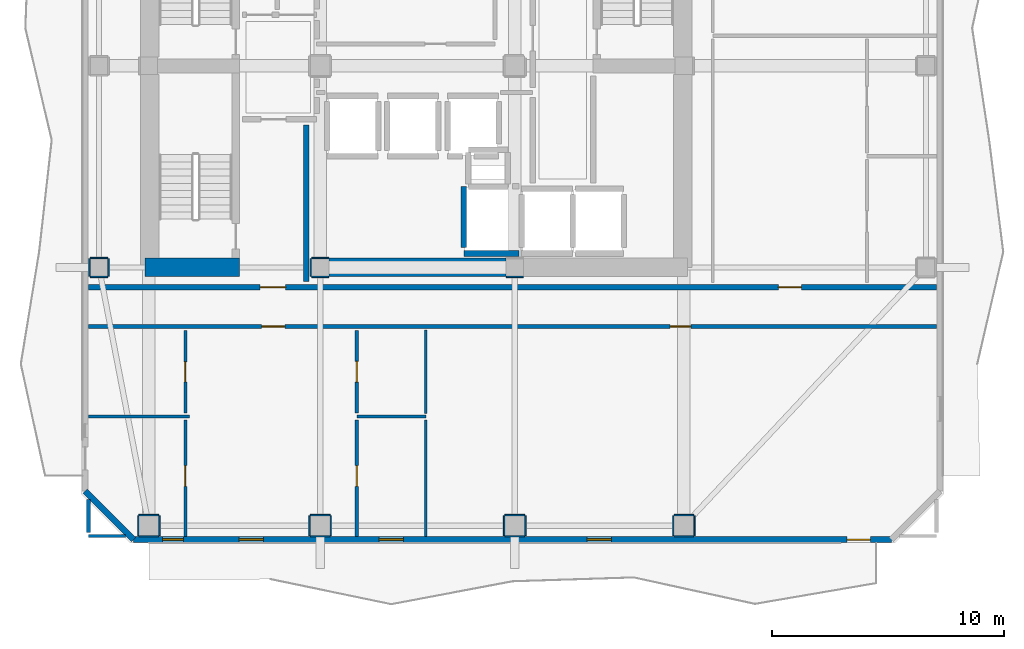
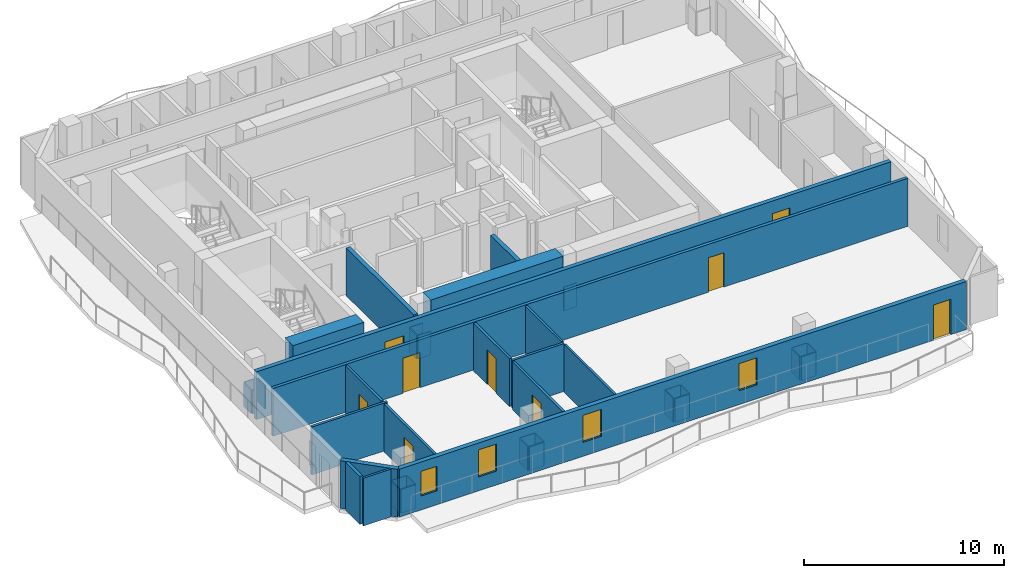
# One storey, part 2 of 9: 43 walls, 9 doors, 4 windows, 13 openings.
"""IFC4 building model written with IfcOpenShell, lengths in metres."""

from ifc_helpers import new_model, si_unit, direction, frame, frame_2d, origin, place, context, subcontext, project, spatial, rectangle, extrude, material, layer, layer_set, type_object, element, fill, save


model = new_model("IFC4")

# Units and contexts
model_context = context("Model", 3, precision=1e-05, world=origin(), true_north=direction((0.0, 1.0)))
body_context = subcontext(model_context, "Body", "Model", "MODEL_VIEW")
ifc_project = project(units=[si_unit("LENGTHUNIT", "METRE"), si_unit("AREAUNIT", "SQUARE_METRE"), si_unit("VOLUMEUNIT", "CUBIC_METRE"), si_unit("PLANEANGLEUNIT", "RADIAN"), si_unit("MASSUNIT", "GRAM", prefix="KILO")], contexts=[model_context])

# Site, building, storey
site_placement = place(None, origin())
site = spatial("IfcSite", under=ifc_project, at=site_placement, CompositionType="ELEMENT")
building_placement = place(site_placement, origin())
building = spatial("IfcBuilding", under=site, at=building_placement, Name="Solanera Arch Residences", CompositionType="ELEMENT")
storey_placement = place(building_placement, frame((0.0, 0.0, 223.360107421875)))
storey = spatial("IfcBuildingStorey", under=building, at=storey_placement, Name="L65", CompositionType="ELEMENT", Elevation=223.360107421875)

# Walls
ifc_material_1 = material(Name="Fire-Rated Gypsum Stud Partition", Category="gypsum")
ifc_layer_1 = layer(ifc_material_1, 0.06005859375)
ifc_layer_set_1 = layer_set([ifc_layer_1], Name="Fire-Rated Gypsum Stud Partition")
wall_type_1 = type_object("IfcWallType", Name="Column Acoustic Furring Wall 60", PredefinedType="PARTITIONING", material=ifc_layer_set_1)
for number, where, z_axis, x_axis, name in (
    (1, (20.425048828125, 21.593017578125, 0.0), (0.0, 0.0, 1.0), (1.0, 0.0, 0.0), "L65 Column Furring 1S"),
    (2, (20.425048828125, 22.406982421875, 0.0), (0.0, 0.0, 1.0), (1.0, 0.0, 0.0), "L65 Column Furring 1N"),
):
    element("IfcWall", number, at=place(storey_placement, frame(where, z_axis=z_axis, x_axis=x_axis)), inside=storey, type_object=wall_type_1, Name=name, PredefinedType="PARTITIONING", context=body_context, shape_type="SweptSolid", body=[
        extrude(rectangle(XDim=0.741943359375, YDim=0.06005859375, at=frame_2d((0.37109375, 0.0))), origin(), (0.0, 0.0, 1.0), 1.449951171875),
    ])
wall_1_placement = place(storey_placement, frame((20.39306640625, 21.625, 0.0), z_axis=(0.0, 0.0, 1.0), x_axis=(0.0, 1.0, 0.0)))
element("IfcWall", 3, at=wall_1_placement, inside=storey, type_object=wall_type_1, Name="L65 Column Furring 1W", PredefinedType="PARTITIONING", context=body_context, shape_type="SweptSolid", body=[
    extrude(rectangle(XDim=0.75, YDim=0.06005859375, at=frame_2d((0.375, 0.0))), origin(), (0.0, 0.0, 1.0), 1.449951171875),
])
wall_2_placement = place(storey_placement, frame((28.8330078125, 21.593017578125, 0.0), z_axis=(0.0, 0.0, 1.0), x_axis=(1.0, 0.0, 0.0)))
element("IfcWall", 4, at=wall_2_placement, inside=storey, type_object=wall_type_1, Name="L65 Column Furring 2S", PredefinedType="PARTITIONING", context=body_context, shape_type="SweptSolid", body=[
    extrude(rectangle(XDim=0.73388671875, YDim=0.06005859375, at=frame_2d((0.366943359375, 0.0))), origin(), (0.0, 0.0, 1.0), 1.449951171875),
])
for number, where, z_axis, x_axis, name in (
    (5, (12.97509765625, 10.39306640625, 0.0), (0.0, 0.0, 1.0), (1.0, 0.0, 0.0), "L65 Column Furring 9S"),
    (6, (12.97509765625, 11.306884765625, 0.0), (0.0, 0.0, 1.0), (1.0, 0.0, 0.0), "L65 Column Furring 9N"),
    (7, (12.943115234375, 10.425048828125, 0.0), (0.0, 0.0, 1.0), (0.0, 1.0, 0.0), "L65 Column Furring 9W"),
    (8, (13.85693359375, 10.425048828125, 0.0), (0.0, 0.0, 1.0), (0.0, 1.0, 0.0), "L65 Column Furring 9E"),
):
    element("IfcWall", number, at=place(storey_placement, frame(where, z_axis=z_axis, x_axis=x_axis)), inside=storey, type_object=wall_type_1, Name=name, PredefinedType="PARTITIONING", context=body_context, shape_type="SweptSolid", body=[
        extrude(rectangle(XDim=0.849853515625, YDim=0.06005859375, at=frame_2d((0.4248046875, 0.0))), origin(), (0.0, 0.0, 1.0), 1.449951171875),
    ])
for number, where, z_axis, x_axis, name in (
    (9, (20.375, 10.39306640625, 0.0), (0.0, 0.0, 1.0), (1.0, 0.0, 0.0), "L65 Column Furring 11S"),
    (10, (20.375, 11.306884765625, 0.0), (0.0, 0.0, 1.0), (1.0, 0.0, 0.0), "L65 Column Furring 11N"),
):
    element("IfcWall", number, at=place(storey_placement, frame(where, z_axis=z_axis, x_axis=x_axis)), inside=storey, type_object=wall_type_1, Name=name, PredefinedType="PARTITIONING", context=body_context, shape_type="SweptSolid", body=[
        extrude(rectangle(XDim=0.85009765625, YDim=0.06005859375, at=frame_2d((0.425048828125, 0.0))), origin(), (0.0, 0.0, 1.0), 1.449951171875),
    ])
for number, where, z_axis, x_axis, name in (
    (11, (20.343017578125, 10.425048828125, 0.0), (0.0, 0.0, 1.0), (0.0, 1.0, 0.0), "L65 Column Furring 11W"),
    (12, (21.257080078125, 10.425048828125, 0.0), (0.0, 0.0, 1.0), (0.0, 1.0, 0.0), "L65 Column Furring 11E"),
):
    element("IfcWall", number, at=place(storey_placement, frame(where, z_axis=z_axis, x_axis=x_axis)), inside=storey, type_object=wall_type_1, Name=name, PredefinedType="PARTITIONING", context=body_context, shape_type="SweptSolid", body=[
        extrude(rectangle(XDim=0.849853515625, YDim=0.06005859375, at=frame_2d((0.4248046875, 0.0))), origin(), (0.0, 0.0, 1.0), 1.449951171875),
    ])
for number, where, z_axis, x_axis, name in (
    (13, (28.77490234375, 10.39306640625, 0.0), (0.0, 0.0, 1.0), (1.0, 0.0, 0.0), "L65 Column Furring 13S"),
    (14, (28.77490234375, 11.306884765625, 0.0), (0.0, 0.0, 1.0), (1.0, 0.0, 0.0), "L65 Column Furring 13N"),
):
    element("IfcWall", number, at=place(storey_placement, frame(where, z_axis=z_axis, x_axis=x_axis)), inside=storey, type_object=wall_type_1, Name=name, PredefinedType="PARTITIONING", context=body_context, shape_type="SweptSolid", body=[
        extrude(rectangle(XDim=0.85009765625, YDim=0.06005859375, at=frame_2d((0.425048828125, 0.0))), origin(), (0.0, 0.0, 1.0), 1.449951171875),
    ])
for number, where, z_axis, x_axis, name in (
    (15, (28.742919921875, 10.425048828125, 0.0), (0.0, 0.0, 1.0), (0.0, 1.0, 0.0), "L65 Column Furring 13W"),
    (16, (29.656982421875, 10.425048828125, 0.0), (0.0, 0.0, 1.0), (0.0, 1.0, 0.0), "L65 Column Furring 13E"),
):
    element("IfcWall", number, at=place(storey_placement, frame(where, z_axis=z_axis, x_axis=x_axis)), inside=storey, type_object=wall_type_1, Name=name, PredefinedType="PARTITIONING", context=body_context, shape_type="SweptSolid", body=[
        extrude(rectangle(XDim=0.849853515625, YDim=0.06005859375, at=frame_2d((0.4248046875, 0.0))), origin(), (0.0, 0.0, 1.0), 1.449951171875),
    ])
for number, where, z_axis, x_axis, name in (
    (17, (36.074951171875, 10.39306640625, 0.0), (0.0, 0.0, 1.0), (1.0, 0.0, 0.0), "L65 Column Furring 15S"),
    (18, (36.074951171875, 11.306884765625, 0.0), (0.0, 0.0, 1.0), (1.0, 0.0, 0.0), "L65 Column Furring 15N"),
):
    element("IfcWall", number, at=place(storey_placement, frame(where, z_axis=z_axis, x_axis=x_axis)), inside=storey, type_object=wall_type_1, Name=name, PredefinedType="PARTITIONING", context=body_context, shape_type="SweptSolid", body=[
        extrude(rectangle(XDim=0.85009765625, YDim=0.06005859375, at=frame_2d((0.425048828125, 0.0))), origin(), (0.0, 0.0, 1.0), 1.449951171875),
    ])
for number, where, z_axis, x_axis, name in (
    (19, (36.04296875, 10.425048828125, 0.0), (0.0, 0.0, 1.0), (0.0, 1.0, 0.0), "L65 Column Furring 15W"),
    (20, (36.95703125, 10.425048828125, 0.0), (0.0, 0.0, 1.0), (0.0, 1.0, 0.0), "L65 Column Furring 15E"),
):
    element("IfcWall", number, at=place(storey_placement, frame(where, z_axis=z_axis, x_axis=x_axis)), inside=storey, type_object=wall_type_1, Name=name, PredefinedType="PARTITIONING", context=body_context, shape_type="SweptSolid", body=[
        extrude(rectangle(XDim=0.849853515625, YDim=0.06005859375, at=frame_2d((0.4248046875, 0.0))), origin(), (0.0, 0.0, 1.0), 1.449951171875),
    ])
for number, where, z_axis, x_axis, name in (
    (21, (10.875, 21.593017578125, 0.0), (0.0, 0.0, 1.0), (1.0, 0.0, 0.0), "L65 Column Furring 17S"),
    (22, (10.875, 22.406982421875, 0.0), (0.0, 0.0, 1.0), (1.0, 0.0, 0.0), "L65 Column Furring 17N"),
    (23, (10.843017578125, 21.625, 0.0), (0.0, 0.0, 1.0), (0.0, 1.0, 0.0), "L65 Column Furring 17W"),
    (24, (11.656982421875, 21.625, 0.0), (0.0, 0.0, 1.0), (0.0, 1.0, 0.0), "L65 Column Furring 17E"),
):
    element("IfcWall", number, at=place(storey_placement, frame(where, z_axis=z_axis, x_axis=x_axis)), inside=storey, type_object=wall_type_1, Name=name, PredefinedType="PARTITIONING", context=body_context, shape_type="SweptSolid", body=[
        extrude(rectangle(XDim=0.75, YDim=0.06005859375, at=frame_2d((0.375, 0.0))), origin(), (0.0, 0.0, 1.0), 1.449951171875),
    ])
ifc_material_2 = material(Name="Concrete C40/50 (f'c = 45 MPa)", Category="concrete")
ifc_layer_2 = layer(ifc_material_2, 0.800048828125)
ifc_layer_set_2 = layer_set([ifc_layer_2], Name="Concrete C40/50 (f'c = 45 MPa)")
wall_type_2 = type_object("IfcWallType", Name="Core Shear Wall CW-800", PredefinedType="SHEAR", material=ifc_layer_set_2)
wall_3_placement = place(storey_placement, frame((13.239990234375, 22.0, 0.0), z_axis=(0.0, 0.0, 1.0), x_axis=(1.0, 0.0, 0.0)))
element("IfcWall", 25, at=wall_3_placement, inside=storey, type_object=wall_type_2, Name="L65 South-West Core Shear Wall", PredefinedType="SHEAR", context=body_context, shape_type="SweptSolid", body=[
    extrude(rectangle(XDim=4.080078125, YDim=0.800048828125, at=frame_2d((2.0400390625, 0.0))), origin(), (0.0, 0.0, 1.0), 3.31982421875),
])
wall_4_placement = place(storey_placement, frame((21.179931640625, 22.0, 0.0), z_axis=(0.0, 0.0, 1.0), x_axis=(1.0, 0.0, 0.0)))
element("IfcWall", 26, at=wall_4_placement, inside=storey, type_object=wall_type_2, Name="L65 Central South Core Shear Wall", PredefinedType="SHEAR", context=body_context, shape_type="SweptSolid", body=[
    extrude(rectangle(XDim=7.64013671875, YDim=0.800048828125, at=frame_2d((3.820068359375, 0.0))), origin(), (0.0, 0.0, 1.0), 3.31982421875),
])

# Wall, openings, doors
ifc_material_3 = material(Name="Autoclaved Aerated Concrete Blockwork", Category="masonry")
ifc_layer_3 = layer(ifc_material_3, 0.179931640625)
ifc_layer_set_3 = layer_set([ifc_layer_3], Name="Autoclaved Aerated Concrete Blockwork")
wall_type_3 = type_object("IfcWallType", Name="Corridor Fire Partition 180", PredefinedType="PARTITIONING", material=ifc_layer_set_3)
wall_5_placement = place(storey_placement, frame((10.787109375, 19.449951171875, 0.0), z_axis=(0.0, 0.0, 1.0), x_axis=(1.0, 0.0, 0.0)))
wall_5 = element("IfcWall", 27, at=wall_5_placement, inside=storey, type_object=wall_type_3, Name="L65 Interior Partition H7", PredefinedType="PARTITIONING", context=body_context, shape_type="SweptSolid", body=[
    extrude(rectangle(XDim=36.6259765625, YDim=0.179931640625, at=frame_2d((18.31298828125, 0.0))), origin(), (0.0, 0.0, 1.0), 2.919921875),
])
opening_1_placement = place(wall_5_placement, frame((7.487060546875, 0.0, 0.0)))
opening_1 = element("IfcOpeningElement", 28, at=opening_1_placement, cuts=wall_5, Name="Opening DI-01", PredefinedType="OPENING", context=body_context, shape_type="SweptSolid", body=[
    extrude(rectangle(XDim=1.0, YDim=2.14990234375, at=frame_2d((0.5, 1.074951171875))), frame((0.0, 0.10009765625, 0.0), z_axis=(0.0, -1.0, 0.0), x_axis=(1.0, 0.0, 0.0)), (0.0, 0.0, 1.0), 0.1999),
])
opening_2_placement = place(wall_5_placement, frame((25.117919921875, 0.0, 0.0)))
opening_2 = element("IfcOpeningElement", 29, at=opening_2_placement, cuts=wall_5, Name="Opening DI-02", PredefinedType="OPENING", context=body_context, shape_type="SweptSolid", body=[
    extrude(rectangle(XDim=0.89990234375, YDim=2.10009765625, at=frame_2d((0.449951171875, 1.050048828125))), frame((0.0, 0.10009765625, 0.0), z_axis=(0.0, -1.0, 0.0), x_axis=(1.0, 0.0, 0.0)), (0.0, 0.0, 1.0), 0.1999),
])
ifc_material_4 = material(Name="Fire-Rated Architectural Hardwood", Category="wood")
door_type_1 = type_object("IfcDoorType", Name="Suite Room Swing Door DI-02", OperationType="NOTDEFINED", PredefinedType="DOOR", material=ifc_material_4)
door_1_placement = place(opening_2_placement, origin())
door_1 = element("IfcDoor", 30, at=door_1_placement, inside=storey, type_object=door_type_1, Name="DR-L65-IN-019", OperationType="SINGLE_SWING_RIGHT", OverallHeight=2.10009765625, OverallWidth=0.89990234375, PredefinedType="DOOR", context=body_context, shape_type="SweptSolid", body=[
    extrude(rectangle(XDim=0.89990234375, YDim=2.10009765625, at=frame_2d((0.449951171875, 1.050048828125))), frame((0.0, 0.02490234375, 0.0), z_axis=(0.0, -1.0, 0.0), x_axis=(1.0, 0.0, 0.0)), (0.0, 0.0, 1.0), 0.050048828125),
])
fill(opening_2, door_1)
ifc_material_5 = material(Name="Fire-Rated Architectural Hardwood", Category="wood")
door_type_2 = type_object("IfcDoorType", Name="Unit Entrance Fire Door DI-01", OperationType="NOTDEFINED", PredefinedType="DOOR", material=ifc_material_5)
door_2_placement = place(opening_1_placement, origin())
door_2 = element("IfcDoor", 31, at=door_2_placement, inside=storey, type_object=door_type_2, Name="DR-L65-IN-014", OperationType="SINGLE_SWING_LEFT", OverallHeight=2.14990234375, OverallWidth=1.0, PredefinedType="DOOR", context=body_context, shape_type="SweptSolid", body=[
    extrude(rectangle(XDim=1.0, YDim=2.14990234375, at=frame_2d((0.5, 1.074951171875))), frame((0.0, 0.02490234375, 0.0), z_axis=(0.0, -1.0, 0.0), x_axis=(1.0, 0.0, 0.0)), (0.0, 0.0, 1.0), 0.050048828125),
])
fill(opening_1, door_2)

# Wall
wall_6_placement = place(storey_placement, frame((10.800048828125, 10.55810546875, 0.0), z_axis=(0.0, 0.0, 1.0), x_axis=(0.0, 1.0, 0.0)))
element("IfcWall", 32, at=wall_6_placement, inside=storey, type_object=wall_type_3, Name="L65 Interior Partition V9", PredefinedType="PARTITIONING", context=body_context, shape_type="SweptSolid", body=[
    extrude(rectangle(XDim=1.430908203125, YDim=0.179931640625, at=frame_2d((0.71533203125, 0.0))), origin(), (0.0, 0.0, 1.0), 2.919921875),
])

# Wall, openings, door, windows
ifc_material_6 = material(Name="Precast Concrete C35/45", Category="concrete")
ifc_layer_4 = layer(ifc_material_6, 0.260009765625)
ifc_layer_set_4 = layer_set([ifc_layer_4], Name="Precast Concrete C35/45")
wall_type_4 = type_object("IfcWallType", Name="Exterior Wall Precast Masonry-Frame 260", PredefinedType="STANDARD", material=ifc_layer_set_4)
wall_7_placement = place(storey_placement, frame((45.455078125, 10.2451171875, 0.0), z_axis=(0.0, 0.0, 1.0), x_axis=(-1.0, 0.0, 0.0)))
wall_7 = element("IfcWall", 33, at=wall_7_placement, inside=storey, type_object=wall_type_4, Name="L65 Tower Exterior Precast Masonry-Frame Wall S", PredefinedType="STANDARD", context=body_context, shape_type="SweptSolid", body=[
    extrude(rectangle(XDim=32.7099609375, YDim=0.260009765625, at=frame_2d((16.35498046875, 0.0))), origin(), (0.0, 0.0, 1.0), 2.919921875),
])
opening_3_placement = place(wall_7_placement, frame((0.906982421875, 0.0, 0.0)))
opening_3 = element("IfcOpeningElement", 34, at=opening_3_placement, cuts=wall_7, Name="Opening DB-01", PredefinedType="OPENING", context=body_context, shape_type="SweptSolid", body=[
    extrude(rectangle(XDim=1.0, YDim=2.14990234375, at=frame_2d((0.5, 1.074951171875))), frame((0.0, 0.139892578125, 0.0), z_axis=(0.0, -1.0, 0.0), x_axis=(1.0, 0.0, 0.0)), (0.0, 0.0, 1.0), 0.28),
])
opening_4_placement = place(wall_7_placement, frame((27.10791015625, 0.0, 0.85009765625)))
opening_4 = element("IfcOpeningElement", 35, at=opening_4_placement, cuts=wall_7, Name="Opening W-07", PredefinedType="OPENING", context=body_context, shape_type="SweptSolid", body=[
    extrude(rectangle(XDim=1.050048828125, YDim=1.64990234375, at=frame_2d((0.52490234375, 0.824951171875))), frame((0.0, 0.139892578125, 0.0), z_axis=(0.0, -1.0, 0.0), x_axis=(1.0, 0.0, 0.0)), (0.0, 0.0, 1.0), 0.28),
])
opening_5_placement = place(wall_7_placement, frame((30.55810546875, 0.0, 0.85009765625)))
opening_5 = element("IfcOpeningElement", 36, at=opening_5_placement, cuts=wall_7, Name="Opening W-06", PredefinedType="OPENING", context=body_context, shape_type="SweptSolid", body=[
    extrude(rectangle(XDim=0.89990234375, YDim=1.5, at=frame_2d((0.449951171875, 0.75))), frame((0.0, 0.139892578125, 0.0), z_axis=(0.0, -1.0, 0.0), x_axis=(1.0, 0.0, 0.0)), (0.0, 0.0, 1.0), 0.28),
])
opening_6_placement = place(wall_7_placement, frame((21.06005859375, 0.0, 0.85009765625)))
opening_6 = element("IfcOpeningElement", 37, at=opening_6_placement, cuts=wall_7, Name="Opening W-07", PredefinedType="OPENING", context=body_context, shape_type="SweptSolid", body=[
    extrude(rectangle(XDim=1.050048828125, YDim=1.64990234375, at=frame_2d((0.52490234375, 0.824951171875))), frame((0.0, 0.139892578125, 0.0), z_axis=(0.0, -1.0, 0.0), x_axis=(1.0, 0.0, 0.0)), (0.0, 0.0, 1.0), 0.28),
])
opening_7_placement = place(wall_7_placement, frame((12.080078125, 0.0, 0.85009765625)))
opening_7 = element("IfcOpeningElement", 38, at=opening_7_placement, cuts=wall_7, Name="Opening W-07", PredefinedType="OPENING", context=body_context, shape_type="SweptSolid", body=[
    extrude(rectangle(XDim=1.050048828125, YDim=1.64990234375, at=frame_2d((0.52490234375, 0.824951171875))), frame((0.0, 0.139892578125, 0.0), z_axis=(0.0, -1.0, 0.0), x_axis=(1.0, 0.0, 0.0)), (0.0, 0.0, 1.0), 0.28),
])
ifc_material_7 = material(Name="Anodised Aluminium Alloy 6063-T6", Category="aluminium")
door_type_3 = type_object("IfcDoorType", Name="Glazed Balcony Swing Door DB-01", OperationType="NOTDEFINED", PredefinedType="DOOR", material=ifc_material_7)
door_3_placement = place(opening_3_placement, origin())
door_3 = element("IfcDoor", 39, at=door_3_placement, inside=storey, type_object=door_type_3, Name="DR-L65-OUT-01", OperationType="SINGLE_SWING_LEFT", OverallHeight=2.14990234375, OverallWidth=1.0, PredefinedType="DOOR", context=body_context, shape_type="SweptSolid", body=[
    extrude(rectangle(XDim=1.0, YDim=2.14990234375, at=frame_2d((0.5, 1.074951171875))), frame((0.0, 0.02490234375, 0.0), z_axis=(0.0, -1.0, 0.0), x_axis=(1.0, 0.0, 0.0)), (0.0, 0.0, 1.0), 0.050048828125),
])
fill(opening_3, door_3)
ifc_material_8 = material(Name="Double Glazed Low-E Laminated Glass", Category="glass")
window_type_1 = type_object("IfcWindowType", Name="Punched Window W-06", PartitioningType="SINGLE_PANEL", PredefinedType="WINDOW", material=ifc_material_8)
window_1_placement = place(opening_5_placement, origin())
window_1 = element("IfcWindow", 40, at=window_1_placement, inside=storey, type_object=window_type_1, Name="L65 6501-BR1 Punched Window", OverallHeight=1.5, OverallWidth=0.89990234375, PartitioningType="SINGLE_PANEL", PredefinedType="WINDOW", context=body_context, shape_type="SweptSolid", body=[
    extrude(rectangle(XDim=0.89990234375, YDim=1.5, at=frame_2d((0.449951171875, 0.75))), frame((0.0, 0.030029296875, 0.0), z_axis=(0.0, -1.0, 0.0), x_axis=(1.0, 0.0, 0.0)), (0.0, 0.0, 1.0), 0.06005859375),
])
fill(opening_5, window_1)
ifc_material_9 = material(Name="Double Glazed Low-E Laminated Glass", Category="glass")
window_type_2 = type_object("IfcWindowType", Name="Punched Window W-07", PartitioningType="SINGLE_PANEL", PredefinedType="WINDOW", material=ifc_material_9)
window_2_placement = place(opening_4_placement, origin())
window_2 = element("IfcWindow", 41, at=window_2_placement, inside=storey, type_object=window_type_2, Name="L65 6501-LIV Punched Window", OverallHeight=1.64990234375, OverallWidth=1.050048828125, PartitioningType="SINGLE_PANEL", PredefinedType="WINDOW", context=body_context, shape_type="SweptSolid", body=[
    extrude(rectangle(XDim=1.050048828125, YDim=1.64990234375, at=frame_2d((0.52490234375, 0.824951171875))), frame((0.0, 0.030029296875, 0.0), z_axis=(0.0, -1.0, 0.0), x_axis=(1.0, 0.0, 0.0)), (0.0, 0.0, 1.0), 0.06005859375),
])
fill(opening_4, window_2)
window_3_placement = place(opening_6_placement, origin())
window_3 = element("IfcWindow", 42, at=window_3_placement, inside=storey, type_object=window_type_2, Name="L65 6501-BR2 Punched Window", OverallHeight=1.64990234375, OverallWidth=1.050048828125, PartitioningType="SINGLE_PANEL", PredefinedType="WINDOW", context=body_context, shape_type="SweptSolid", body=[
    extrude(rectangle(XDim=1.050048828125, YDim=1.64990234375, at=frame_2d((0.52490234375, 0.824951171875))), frame((0.0, 0.030029296875, 0.0), z_axis=(0.0, -1.0, 0.0), x_axis=(1.0, 0.0, 0.0)), (0.0, 0.0, 1.0), 0.06005859375),
])
fill(opening_6, window_3)
window_4_placement = place(opening_7_placement, origin())
window_4 = element("IfcWindow", 43, at=window_4_placement, inside=storey, type_object=window_type_2, Name="L65 AMN-LNG Punched Window", OverallHeight=1.64990234375, OverallWidth=1.050048828125, PartitioningType="SINGLE_PANEL", PredefinedType="WINDOW", context=body_context, shape_type="SweptSolid", body=[
    extrude(rectangle(XDim=1.050048828125, YDim=1.64990234375, at=frame_2d((0.52490234375, 0.824951171875))), frame((0.0, 0.030029296875, 0.0), z_axis=(0.0, -1.0, 0.0), x_axis=(1.0, 0.0, 0.0)), (0.0, 0.0, 1.0), 0.06005859375),
])
fill(opening_7, window_4)

# Walls
wall_8_placement = place(storey_placement, frame((12.7451171875, 10.2451171875, 0.0), z_axis=(0.0, 0.0, 1.0), x_axis=(-0.707147883682, 0.707065676302, 0.0)))
element("IfcWall", 44, at=wall_8_placement, inside=storey, type_object=wall_type_4, Name="L65 Tower Exterior Precast Masonry-Frame Wall CH7", PredefinedType="STANDARD", context=body_context, shape_type="SweptSolid", body=[
    extrude(rectangle(XDim=2.9697265625, YDim=0.260009765625, at=frame_2d((1.48486328125, 0.0))), origin(), (0.0, 0.0, 1.0), 2.919921875),
])
ifc_material_10 = material(Name="Autoclaved Aerated Concrete Blockwork", Category="masonry")
ifc_layer_5 = layer(ifc_material_10, 0.239990234375)
ifc_layer_set_5 = layer_set([ifc_layer_5], Name="Autoclaved Aerated Concrete Blockwork")
wall_type_5 = type_object("IfcWallType", Name="Shaft Wall Fire-Rated 240", PredefinedType="PARTITIONING", material=ifc_layer_set_5)
wall_9_placement = place(storey_placement, frame((27.0, 22.60009765625, 0.0), z_axis=(0.0, 0.0, 1.0), x_axis=(1.0, 0.0, 0.0)))
element("IfcWall", 45, at=wall_9_placement, inside=storey, type_object=wall_type_5, Name="L65 Lift SVL-1 Hoistway Wall S", PredefinedType="PARTITIONING", context=body_context, shape_type="SweptSolid", body=[
    extrude(rectangle(XDim=2.3720703125, YDim=0.239990234375, at=frame_2d((1.18603515625, 0.0))), origin(), (0.0, 0.0, 1.0), 2.919921875),
])
wall_10_placement = place(storey_placement, frame((27.0, 22.847900390625, 0.0), z_axis=(0.0, 0.0, 1.0), x_axis=(0.0, 1.0, 0.0)))
element("IfcWall", 46, at=wall_10_placement, inside=storey, type_object=wall_type_5, Name="L65 Lift SVL-1 Hoistway Wall W", PredefinedType="PARTITIONING", context=body_context, shape_type="SweptSolid", body=[
    extrude(rectangle(XDim=2.650146484375, YDim=0.239990234375, at=frame_2d((1.3251953125, 0.0))), origin(), (0.0, 0.0, 1.0), 2.919921875),
])

# Wall, openings, doors
wall_11_placement = place(storey_placement, frame((10.787109375, 21.14990234375, 0.0), z_axis=(0.0, 0.0, 1.0), x_axis=(1.0, 0.0, 0.0)))
wall_11 = element("IfcWall", 47, at=wall_11_placement, inside=storey, type_object=wall_type_5, Name="L65 Interior Partition H1", PredefinedType="PARTITIONING", context=body_context, shape_type="SweptSolid", body=[
    extrude(rectangle(XDim=36.6259765625, YDim=0.239990234375, at=frame_2d((18.31298828125, 0.0))), origin(), (0.0, 0.0, 1.0), 2.919921875),
])
opening_8_placement = place(wall_11_placement, frame((7.423095703125, 0.0, 0.0)))
opening_8 = element("IfcOpeningElement", 48, at=opening_8_placement, cuts=wall_11, Name="Opening DF-02", PredefinedType="OPENING", context=body_context, shape_type="SweptSolid", body=[
    extrude(rectangle(XDim=1.10009765625, YDim=2.14990234375, at=frame_2d((0.550048828125, 1.074951171875))), frame((0.0, 0.1298828125, 0.0), z_axis=(0.0, -1.0, 0.0), x_axis=(1.0, 0.0, 0.0)), (0.0, 0.0, 1.0), 0.26),
])
opening_9_placement = place(wall_11_placement, frame((29.7880859375, 0.0, 0.0)))
opening_9 = element("IfcOpeningElement", 49, at=opening_9_placement, cuts=wall_11, Name="Opening DI-01", PredefinedType="OPENING", context=body_context, shape_type="SweptSolid", body=[
    extrude(rectangle(XDim=1.0, YDim=2.14990234375, at=frame_2d((0.5, 1.074951171875))), frame((0.0, 0.1298828125, 0.0), z_axis=(0.0, -1.0, 0.0), x_axis=(1.0, 0.0, 0.0)), (0.0, 0.0, 1.0), 0.26),
])
ifc_material_11 = material(Name="Fire-Rated Architectural Hardwood", Category="wood")
door_type_4 = type_object("IfcDoorType", Name="Firefighting Lobby Fire Door DF-02", OperationType="NOTDEFINED", PredefinedType="DOOR", material=ifc_material_11)
door_4_placement = place(opening_8_placement, origin())
door_4 = element("IfcDoor", 50, at=door_4_placement, inside=storey, type_object=door_type_4, Name="DR-L65-IN-008", OperationType="SINGLE_SWING_LEFT", OverallHeight=2.14990234375, OverallWidth=1.10009765625, PredefinedType="DOOR", context=body_context, shape_type="SweptSolid", body=[
    extrude(rectangle(XDim=1.10009765625, YDim=2.14990234375, at=frame_2d((0.550048828125, 1.074951171875))), frame((0.0, 0.02490234375, 0.0), z_axis=(0.0, -1.0, 0.0), x_axis=(1.0, 0.0, 0.0)), (0.0, 0.0, 1.0), 0.050048828125),
])
fill(opening_8, door_4)
door_5_placement = place(opening_9_placement, origin())
door_5 = element("IfcDoor", 51, at=door_5_placement, inside=storey, type_object=door_type_2, Name="DR-L65-IN-032", OperationType="SINGLE_SWING_LEFT", OverallHeight=2.14990234375, OverallWidth=1.0, PredefinedType="DOOR", context=body_context, shape_type="SweptSolid", body=[
    extrude(rectangle(XDim=1.0, YDim=2.14990234375, at=frame_2d((0.5, 1.074951171875))), frame((0.0, 0.02490234375, 0.0), z_axis=(0.0, -1.0, 0.0), x_axis=(1.0, 0.0, 0.0)), (0.0, 0.0, 1.0), 0.050048828125),
])
fill(opening_9, door_5)

# Walls
wall_12_placement = place(storey_placement, frame((20.199951171875, 21.39794921875, 0.0), z_axis=(0.0, 0.0, 1.0), x_axis=(0.0, 1.0, 0.0)))
element("IfcWall", 52, at=wall_12_placement, inside=storey, type_object=wall_type_5, Name="L65 Interior Partition V3", PredefinedType="PARTITIONING", context=body_context, shape_type="SweptSolid", body=[
    extrude(rectangle(XDim=6.754150390625, YDim=0.239990234375, at=frame_2d((3.376953125, 0.0))), origin(), (0.0, 0.0, 1.0), 2.919921875),
])
ifc_material_12 = material(Name="Fire-Rated Gypsum Stud Partition", Category="gypsum")
ifc_layer_6 = layer(ifc_material_12, 0.1201171875)
ifc_layer_set_6 = layer_set([ifc_layer_6], Name="Fire-Rated Gypsum Stud Partition")
wall_type_6 = type_object("IfcWallType", Name="Unit Drywall Partition 120", PredefinedType="PARTITIONING", material=ifc_layer_set_6)
wall_13_placement = place(storey_placement, frame((10.800048828125, 10.39990234375, 0.0), z_axis=(0.0, 0.0, 1.0), x_axis=(1.0, 0.0, 0.0)))
element("IfcWall", 53, at=wall_13_placement, inside=storey, type_object=wall_type_6, Name="L65 Interior Partition H18 1", PredefinedType="PARTITIONING", context=body_context, shape_type="SweptSolid", body=[
    extrude(rectangle(XDim=1.5888671875, YDim=0.1201171875, at=frame_2d((0.79443359375, 0.0))), origin(), (0.0, 0.0, 1.0), 2.919921875),
])
wall_14_placement = place(storey_placement, frame((25.35888671875, 10.386962890625, 0.0), z_axis=(0.0, 0.0, 1.0), x_axis=(0.0, 1.0, 0.0)))
element("IfcWall", 54, at=wall_14_placement, inside=storey, type_object=wall_type_6, Name="L65 Interior Partition V22 1", PredefinedType="PARTITIONING", context=body_context, shape_type="SweptSolid", body=[
    extrude(rectangle(XDim=5.033935546875, YDim=0.1201171875, at=frame_2d((2.51708984375, 0.0))), origin(), (0.0, 0.0, 1.0), 2.919921875),
])
wall_15_placement = place(storey_placement, frame((25.35888671875, 15.697021484375, 0.0), z_axis=(0.0, 0.0, 1.0), x_axis=(0.0, 1.0, 0.0)))
element("IfcWall", 55, at=wall_15_placement, inside=storey, type_object=wall_type_6, Name="L65 Interior Partition V22 2", PredefinedType="PARTITIONING", context=body_context, shape_type="SweptSolid", body=[
    extrude(rectangle(XDim=3.594970703125, YDim=0.1201171875, at=frame_2d((1.79736328125, 0.0))), origin(), (0.0, 0.0, 1.0), 2.919921875),
])
ifc_material_13 = material(Name="Autoclaved Aerated Concrete Blockwork", Category="masonry")
ifc_layer_7 = layer(ifc_material_13, 0.139892578125)
ifc_layer_set_7 = layer_set([ifc_layer_7], Name="Autoclaved Aerated Concrete Blockwork")
wall_type_7 = type_object("IfcWallType", Name="Wet-Room Partition 140", PredefinedType="PARTITIONING", material=ifc_layer_set_7)
wall_16_placement = place(storey_placement, frame((10.787109375, 15.55908203125, 0.0), z_axis=(0.0, 0.0, 1.0), x_axis=(1.0, 0.0, 0.0)))
element("IfcWall", 56, at=wall_16_placement, inside=storey, type_object=wall_type_7, Name="L65 Interior Partition H13", PredefinedType="PARTITIONING", context=body_context, shape_type="SweptSolid", body=[
    extrude(rectangle(XDim=4.380859375, YDim=0.139892578125, at=frame_2d((2.1904296875, 0.0))), origin(), (0.0, 0.0, 1.0), 2.919921875),
])
wall_17_placement = place(storey_placement, frame((22.3798828125, 15.55908203125, 0.0), z_axis=(0.0, 0.0, 1.0), x_axis=(1.0, 0.0, 0.0)))
element("IfcWall", 57, at=wall_17_placement, inside=storey, type_object=wall_type_7, Name="L65 Interior Partition H14", PredefinedType="PARTITIONING", context=body_context, shape_type="SweptSolid", body=[
    extrude(rectangle(XDim=2.97900390625, YDim=0.139892578125, at=frame_2d((1.489501953125, 0.0))), origin(), (0.0, 0.0, 1.0), 2.919921875),
])

# Wall, opening, door
wall_18_placement = place(storey_placement, frame((14.97998046875, 10.386962890625, 0.0), z_axis=(0.0, 0.0, 1.0), x_axis=(0.0, 1.0, 0.0)))
wall_18 = element("IfcWall", 58, at=wall_18_placement, inside=storey, type_object=wall_type_7, Name="L65 Interior Partition V13 1", PredefinedType="PARTITIONING", context=body_context, shape_type="SweptSolid", body=[
    extrude(rectangle(XDim=5.02392578125, YDim=0.139892578125, at=frame_2d((2.511962890625, 0.0))), origin(), (0.0, 0.0, 1.0), 2.919921875),
])
opening_10_placement = place(wall_18_placement, frame((2.155029296875, 0.0, 0.0)))
opening_10 = element("IfcOpeningElement", 59, at=opening_10_placement, cuts=wall_18, Name="Opening DI-03", PredefinedType="OPENING", context=body_context, shape_type="SweptSolid", body=[
    extrude(rectangle(XDim=0.89990234375, YDim=2.10009765625, at=frame_2d((0.449951171875, 1.050048828125))), frame((0.0, 0.079833984375, 0.0), z_axis=(0.0, -1.0, 0.0), x_axis=(1.0, 0.0, 0.0)), (0.0, 0.0, 1.0), 0.1599),
])
ifc_material_14 = material(Name="Fire-Rated Architectural Hardwood", Category="wood")
door_type_5 = type_object("IfcDoorType", Name="Bedroom Swing Door DI-03", OperationType="NOTDEFINED", PredefinedType="DOOR", material=ifc_material_14)
door_6_placement = place(opening_10_placement, origin())
door_6 = element("IfcDoor", 60, at=door_6_placement, inside=storey, type_object=door_type_5, Name="DR-L65-IN-016", OperationType="SINGLE_SWING_LEFT", OverallHeight=2.10009765625, OverallWidth=0.89990234375, PredefinedType="DOOR", context=body_context, shape_type="SweptSolid", body=[
    extrude(rectangle(XDim=0.89990234375, YDim=2.10009765625, at=frame_2d((0.449951171875, 1.050048828125))), frame((0.0, 0.02490234375, 0.0), z_axis=(0.0, -1.0, 0.0), x_axis=(1.0, 0.0, 0.0)), (0.0, 0.0, 1.0), 0.050048828125),
])
fill(opening_10, door_6)

wall_19_placement = place(storey_placement, frame((14.97998046875, 15.70703125, 0.0), z_axis=(0.0, 0.0, 1.0), x_axis=(0.0, 1.0, 0.0)))
wall_19 = element("IfcWall", 61, at=wall_19_placement, inside=storey, type_object=wall_type_7, Name="L65 Interior Partition V13 2", PredefinedType="PARTITIONING", context=body_context, shape_type="SweptSolid", body=[
    extrude(rectangle(XDim=3.574951171875, YDim=0.139892578125, at=frame_2d((1.78759765625, 0.0))), origin(), (0.0, 0.0, 1.0), 2.919921875),
])
opening_11_placement = place(wall_19_placement, frame((1.35498046875, 0.0, 0.0)))
opening_11 = element("IfcOpeningElement", 62, at=opening_11_placement, cuts=wall_19, Name="Opening DI-05", PredefinedType="OPENING", context=body_context, shape_type="SweptSolid", body=[
    extrude(rectangle(XDim=0.860107421875, YDim=2.02001953125, at=frame_2d((0.43017578125, 1.010009765625))), frame((0.0, 0.079833984375, 0.0), z_axis=(0.0, -1.0, 0.0), x_axis=(1.0, 0.0, 0.0)), (0.0, 0.0, 1.0), 0.1599),
])
ifc_material_15 = material(Name="Fire-Rated Architectural Hardwood", Category="wood")
door_type_6 = type_object("IfcDoorType", Name="Bathroom Swing Door DI-05", OperationType="NOTDEFINED", PredefinedType="DOOR", material=ifc_material_15)
door_7_placement = place(opening_11_placement, origin())
door_7 = element("IfcDoor", 63, at=door_7_placement, inside=storey, type_object=door_type_6, Name="DR-L65-IN-015", OperationType="SINGLE_SWING_RIGHT", OverallHeight=2.02001953125, OverallWidth=0.860107421875, PredefinedType="DOOR", context=body_context, shape_type="SweptSolid", body=[
    extrude(rectangle(XDim=0.860107421875, YDim=2.02001953125, at=frame_2d((0.43017578125, 1.010009765625))), frame((0.0, 0.02490234375, 0.0), z_axis=(0.0, -1.0, 0.0), x_axis=(1.0, 0.0, 0.0)), (0.0, 0.0, 1.0), 0.050048828125),
])
fill(opening_11, door_7)

wall_20_placement = place(storey_placement, frame((22.3798828125, 10.386962890625, 0.0), z_axis=(0.0, 0.0, 1.0), x_axis=(0.0, 1.0, 0.0)))
wall_20 = element("IfcWall", 64, at=wall_20_placement, inside=storey, type_object=wall_type_7, Name="L65 Interior Partition V15 1", PredefinedType="PARTITIONING", context=body_context, shape_type="SweptSolid", body=[
    extrude(rectangle(XDim=5.02392578125, YDim=0.139892578125, at=frame_2d((2.511962890625, 0.0))), origin(), (0.0, 0.0, 1.0), 2.919921875),
])
opening_12_placement = place(wall_20_placement, frame((2.155029296875, 0.0, 0.0)))
opening_12 = element("IfcOpeningElement", 65, at=opening_12_placement, cuts=wall_20, Name="Opening DI-03", PredefinedType="OPENING", context=body_context, shape_type="SweptSolid", body=[
    extrude(rectangle(XDim=0.89990234375, YDim=2.10009765625, at=frame_2d((0.449951171875, 1.050048828125))), frame((0.0, 0.079833984375, 0.0), z_axis=(0.0, -1.0, 0.0), x_axis=(1.0, 0.0, 0.0)), (0.0, 0.0, 1.0), 0.1599),
])
door_8_placement = place(opening_12_placement, origin())
door_8 = element("IfcDoor", 66, at=door_8_placement, inside=storey, type_object=door_type_5, Name="DR-L65-IN-018", OperationType="SINGLE_SWING_LEFT", OverallHeight=2.10009765625, OverallWidth=0.89990234375, PredefinedType="DOOR", context=body_context, shape_type="SweptSolid", body=[
    extrude(rectangle(XDim=0.89990234375, YDim=2.10009765625, at=frame_2d((0.449951171875, 1.050048828125))), frame((0.0, 0.02490234375, 0.0), z_axis=(0.0, -1.0, 0.0), x_axis=(1.0, 0.0, 0.0)), (0.0, 0.0, 1.0), 0.050048828125),
])
fill(opening_12, door_8)

wall_21_placement = place(storey_placement, frame((22.3798828125, 15.70703125, 0.0), z_axis=(0.0, 0.0, 1.0), x_axis=(0.0, 1.0, 0.0)))
wall_21 = element("IfcWall", 67, at=wall_21_placement, inside=storey, type_object=wall_type_7, Name="L65 Interior Partition V15 2", PredefinedType="PARTITIONING", context=body_context, shape_type="SweptSolid", body=[
    extrude(rectangle(XDim=3.574951171875, YDim=0.139892578125, at=frame_2d((1.78759765625, 0.0))), origin(), (0.0, 0.0, 1.0), 2.919921875),
])
opening_13_placement = place(wall_21_placement, frame((1.3349609375, 0.0, 0.0)))
opening_13 = element("IfcOpeningElement", 68, at=opening_13_placement, cuts=wall_21, Name="Opening DI-02", PredefinedType="OPENING", context=body_context, shape_type="SweptSolid", body=[
    extrude(rectangle(XDim=0.89990234375, YDim=2.10009765625, at=frame_2d((0.449951171875, 1.050048828125))), frame((0.0, 0.079833984375, 0.0), z_axis=(0.0, -1.0, 0.0), x_axis=(1.0, 0.0, 0.0)), (0.0, 0.0, 1.0), 0.1599),
])
door_9_placement = place(opening_13_placement, origin())
door_9 = element("IfcDoor", 69, at=door_9_placement, inside=storey, type_object=door_type_1, Name="DR-L65-IN-017", OperationType="SINGLE_SWING_RIGHT", OverallHeight=2.10009765625, OverallWidth=0.89990234375, PredefinedType="DOOR", context=body_context, shape_type="SweptSolid", body=[
    extrude(rectangle(XDim=0.89990234375, YDim=2.10009765625, at=frame_2d((0.449951171875, 1.050048828125))), frame((0.0, 0.02490234375, 0.0), z_axis=(0.0, -1.0, 0.0), x_axis=(1.0, 0.0, 0.0)), (0.0, 0.0, 1.0), 0.050048828125),
])
fill(opening_13, door_9)

save(model, "model.ifc")
